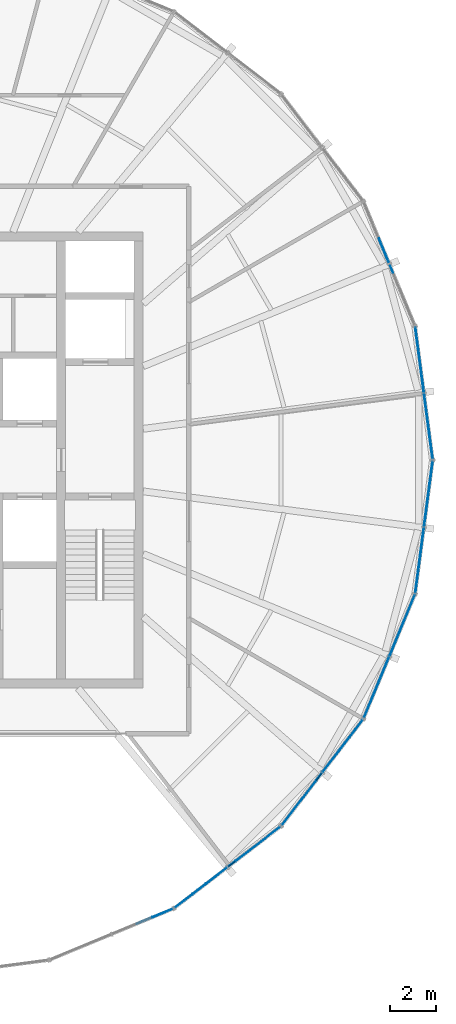
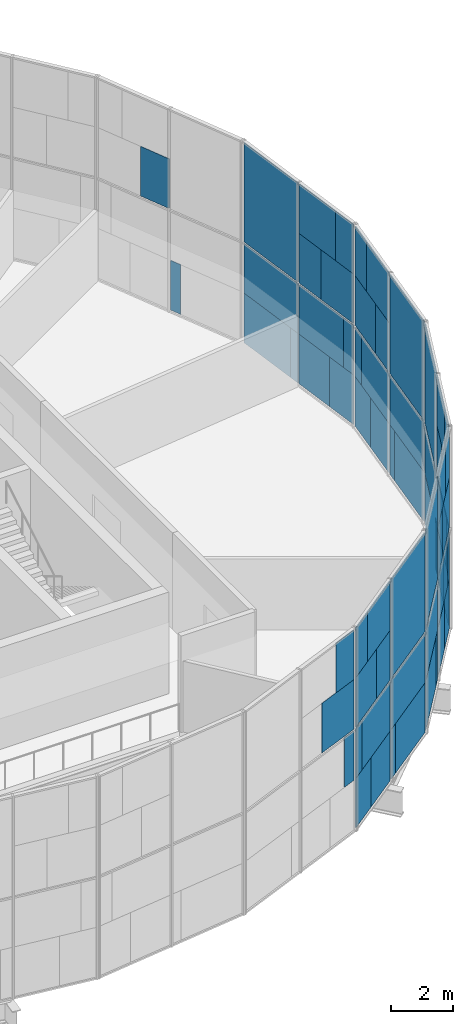
# One storey, part 12 of 19: 65 plates, 7 elements without a shape of their own.
"""IFC4 building model written with IfcOpenShell, lengths in metres."""

from ifc_helpers import new_model, si_unit, direction, frame, origin, origin_2d, place, context, subcontext, project, spatial, rectangle, extrude, material, layer, layer_set, type_object, element, aggregate, save


model = new_model("IFC4")

# Units and contexts
model_context = context("Model", 3, precision=1e-05, world=origin(), true_north=direction((0.0, 1.0)))
body_context = subcontext(model_context, "Body", "Model", "MODEL_VIEW")
ifc_project = project(units=[si_unit("LENGTHUNIT", "METRE"), si_unit("AREAUNIT", "SQUARE_METRE"), si_unit("VOLUMEUNIT", "CUBIC_METRE"), si_unit("PLANEANGLEUNIT", "RADIAN"), si_unit("MASSUNIT", "GRAM", prefix="KILO")], contexts=[model_context])

# Site, building, storey
site_placement = place(None, origin())
site = spatial("IfcSite", under=ifc_project, at=site_placement, CompositionType="ELEMENT")
building_placement = place(site_placement, origin())
building = spatial("IfcBuilding", under=site, at=building_placement, Name="Golbaran Civic Tower", CompositionType="ELEMENT")
storey_placement = place(building_placement, frame((0.0, 0.0, 240.0)))
storey = spatial("IfcBuildingStorey", under=building, at=storey_placement, Name="L58", CompositionType="ELEMENT", Elevation=240.0)

# Curtain wall, plates
ifc_material_1 = material(Name="Aluminium and glass", Category="aluminium")
curtain_wall_type = type_object("IfcCurtainWallType", Name="INNER SKIN CURTAIN WALL EXECUTIVE", PredefinedType="NOTDEFINED", material=ifc_material_1)
curtain_wall_1_placement = place(storey_placement, origin())
curtain_wall_1 = element("IfcCurtainWall", 1, at=curtain_wall_1_placement, inside=storey, type_object=curtain_wall_type, Name="Inner skin L58 facet 1 CW2", ObjectType="INNER SKIN", PredefinedType="USERDEFINED")
ifc_material_2 = material(Name="Clear insulating glass", Category="glass")
ifc_layer_1 = layer(ifc_material_2, 0.031982421875, Name="Clear insulating glass")
ifc_layer_set_1 = layer_set([ifc_layer_1], Name="Clear insulating glass")
plate_type_1 = type_object("IfcPlateType", Name="INNER SKIN CURTAIN WALL EXECUTIVE GLAZED PANEL", PredefinedType="CURTAIN_PANEL", material=ifc_layer_set_1)
plate_1_placement = place(storey_placement, frame((22.609375, 0.68896484375, 0.06005859375), z_axis=(0.0, 0.0, 1.0), x_axis=(-0.130526192168, 0.991444861381, 0.0)))
plate_1 = element("IfcPlate", 2, at=plate_1_placement, type_object=plate_type_1, Name="CW2 panel 1.1 part 1", PredefinedType="CURTAIN_PANEL", context=body_context, shape_type="SweptSolid", body=[
    extrude(rectangle(XDim=1.27001953125, YDim=0.031982421875, at=origin_2d()), origin(), (0.0, 0.0, 1.0), 1.955078125),
])
plate_2_placement = place(storey_placement, frame((22.658447265625, 0.315185546875, 2.014892578125), z_axis=(0.0, 0.0, 1.0), x_axis=(-0.130526192168, 0.991444861381, 0.0)))
plate_2 = element("IfcPlate", 3, at=plate_2_placement, type_object=plate_type_1, Name="CW2 panel 1.1 part 3", PredefinedType="CURTAIN_PANEL", context=body_context, shape_type="SweptSolid", body=[
    extrude(rectangle(XDim=0.51611328125, YDim=0.031982421875, at=origin_2d()), origin(), (0.0, 0.0, 1.0), 1.955078125),
])
plate_3_placement = place(storey_placement, frame((22.392822265625, 2.332763671875, 4.030029296875), z_axis=(0.0, 0.0, 1.0), x_axis=(-0.130526192168, 0.991444861381, 0.0)))
plate_3 = element("IfcPlate", 4, at=plate_3_placement, type_object=plate_type_1, Name="CW2 panel 1.2 part 2", PredefinedType="CURTAIN_PANEL", context=body_context, shape_type="SweptSolid", body=[
    extrude(rectangle(XDim=1.159912109375, YDim=0.031982421875, at=origin_2d()), origin(), (0.0, 0.0, 1.0), 1.955078125),
])
plate_4_placement = place(storey_placement, frame((22.442138671875, 1.958984375, 5.98486328125), z_axis=(0.0, 0.0, 1.0), x_axis=(-0.130526192168, 0.991444861381, 0.0)))
plate_4 = element("IfcPlate", 5, at=plate_4_placement, type_object=plate_type_1, Name="CW2 panel 1.2 part 4", PredefinedType="CURTAIN_PANEL", context=body_context, shape_type="SweptSolid", body=[
    extrude(rectangle(XDim=1.9140625, YDim=0.031982421875, at=origin_2d()), origin(), (0.0, 0.0, 1.0), 1.955078125),
])
plate_5_placement = place(storey_placement, frame((22.095703125, 4.59033203125, 0.06005859375), z_axis=(0.0, 0.0, 1.0), x_axis=(-0.130526192168, 0.991444861381, 0.0)))
plate_5 = element("IfcPlate", 6, at=plate_5_placement, type_object=plate_type_1, Name="CW2 panel 2.1 part 2", PredefinedType="CURTAIN_PANEL", context=body_context, shape_type="SweptSolid", body=[
    extrude(rectangle(XDim=2.471923828125, YDim=0.031982421875, at=origin_2d()), origin(), (0.0, 0.0, 1.0), 1.955078125),
])
plate_6_placement = place(storey_placement, frame((22.121826171875, 4.3916015625, 2.014892578125), z_axis=(0.0, 0.0, 1.0), x_axis=(-0.130526192168, 0.991444861381, 0.0)))
plate_6 = element("IfcPlate", 7, at=plate_6_placement, type_object=plate_type_1, Name="CW2 panel 2.1 part 3", PredefinedType="CURTAIN_PANEL", context=body_context, shape_type="SweptSolid", body=[
    extrude(rectangle(XDim=2.873046875, YDim=0.031982421875, at=origin_2d()), origin(), (0.0, 0.0, 1.0), 1.955078125),
])
plate_7_placement = place(storey_placement, frame((22.121826171875, 4.3916015625, 4.0302734375), z_axis=(0.0, 0.0, 1.0), x_axis=(-0.130526192168, 0.991444861381, 0.0)))
plate_7 = element("IfcPlate", 8, at=plate_7_placement, type_object=plate_type_1, Name="CW2 panel 2.2", PredefinedType="CURTAIN_PANEL", context=body_context, shape_type="SweptSolid", body=[
    extrude(rectangle(XDim=2.873046875, YDim=0.031982421875, at=origin_2d()), origin(), (0.0, 0.0, 1.0), 3.909912109375),
])

# Curtain wall, plate
curtain_wall_2_placement = place(storey_placement, origin())
curtain_wall_2 = element("IfcCurtainWall", 9, at=curtain_wall_2_placement, inside=storey, type_object=curtain_wall_type, Name="Inner skin L58 facet 2 CW2", ObjectType="INNER SKIN", PredefinedType="USERDEFINED")
plate_8_placement = place(storey_placement, frame((20.559326171875, 9.17626953125, 4.030029296875), z_axis=(0.0, 0.0, 1.0), x_axis=(-0.382683432397, 0.923879532498, 0.0)))
plate_8 = element("IfcPlate", 10, at=plate_8_placement, type_object=plate_type_1, Name="CW2 panel 2.2 part 1", PredefinedType="CURTAIN_PANEL", context=body_context, shape_type="SweptSolid", body=[
    extrude(rectangle(XDim=1.159912109375, YDim=0.031982421875, at=origin_2d()), origin(), (0.0, 0.0, 1.0), 1.955078125),
])

curtain_wall_3_placement = place(storey_placement, origin())
curtain_wall_3 = element("IfcCurtainWall", 11, at=curtain_wall_3_placement, inside=storey, type_object=curtain_wall_type, Name="Inner skin L58 facet 20 CW2", ObjectType="INNER SKIN", PredefinedType="USERDEFINED")
plate_9_placement = place(storey_placement, frame((11.05615234375, -19.780517578125, 2.014892578125), z_axis=(0.0, 0.0, 1.0), x_axis=(0.923879532498, 0.382683432397, 0.0)))
plate_9 = element("IfcPlate", 12, at=plate_9_placement, type_object=plate_type_1, Name="CW2 panel 2.1 part 4", PredefinedType="CURTAIN_PANEL", context=body_context, shape_type="SweptSolid", body=[
    extrude(rectangle(XDim=0.515869140625, YDim=0.031982421875, at=origin_2d()), origin(), (0.0, 0.0, 1.0), 1.955078125),
])

# Curtain wall, plates
curtain_wall_4_placement = place(storey_placement, origin())
curtain_wall_4 = element("IfcCurtainWall", 13, at=curtain_wall_4_placement, inside=storey, type_object=curtain_wall_type, Name="Inner skin L58 facet 21 CW2", ObjectType="INNER SKIN", PredefinedType="USERDEFINED")
plate_10_placement = place(storey_placement, frame((11.9013671875, -19.235595703125, 0.06005859375), z_axis=(0.0, 0.0, 1.0), x_axis=(0.793353340291, 0.608761429009, 0.0)))
plate_10 = element("IfcPlate", 14, at=plate_10_placement, type_object=plate_type_1, Name="CW2 panel 1.1 part 1", PredefinedType="CURTAIN_PANEL", context=body_context, shape_type="SweptSolid", body=[
    extrude(rectangle(XDim=1.27001953125, YDim=0.031982421875, at=origin_2d()), origin(), (0.0, 0.0, 1.0), 1.955078125),
])
plate_11_placement = place(storey_placement, frame((11.602294921875, -19.465087890625, 2.014892578125), z_axis=(0.0, 0.0, 1.0), x_axis=(0.793353340291, 0.608761429009, 0.0)))
plate_11 = element("IfcPlate", 15, at=plate_11_placement, type_object=plate_type_1, Name="CW2 panel 1.1 part 3", PredefinedType="CURTAIN_PANEL", context=body_context, shape_type="SweptSolid", body=[
    extrude(rectangle(XDim=0.51611328125, YDim=0.031982421875, at=origin_2d()), origin(), (0.0, 0.0, 1.0), 1.955078125),
])
plate_12_placement = place(storey_placement, frame((13.216796875, -18.226318359375, 4.030029296875), z_axis=(0.0, 0.0, 1.0), x_axis=(0.793353340291, 0.608761429009, 0.0)))
plate_12 = element("IfcPlate", 16, at=plate_12_placement, type_object=plate_type_1, Name="CW2 panel 1.2 part 2", PredefinedType="CURTAIN_PANEL", context=body_context, shape_type="SweptSolid", body=[
    extrude(rectangle(XDim=1.159912109375, YDim=0.031982421875, at=origin_2d()), origin(), (0.0, 0.0, 1.0), 1.955078125),
])
plate_13_placement = place(storey_placement, frame((12.917724609375, -18.455810546875, 5.98486328125), z_axis=(0.0, 0.0, 1.0), x_axis=(0.793353340291, 0.608761429009, 0.0)))
plate_13 = element("IfcPlate", 17, at=plate_13_placement, type_object=plate_type_1, Name="CW2 panel 1.2 part 4", PredefinedType="CURTAIN_PANEL", context=body_context, shape_type="SweptSolid", body=[
    extrude(rectangle(XDim=1.9140625, YDim=0.031982421875, at=origin_2d()), origin(), (0.0, 0.0, 1.0), 1.955078125),
])
plate_14_placement = place(storey_placement, frame((15.023193359375, -16.84033203125, 0.06005859375), z_axis=(0.0, 0.0, 1.0), x_axis=(0.793353340291, 0.608761429009, 0.0)))
plate_14 = element("IfcPlate", 18, at=plate_14_placement, type_object=plate_type_1, Name="CW2 panel 2.1 part 2", PredefinedType="CURTAIN_PANEL", context=body_context, shape_type="SweptSolid", body=[
    extrude(rectangle(XDim=2.471923828125, YDim=0.031982421875, at=origin_2d()), origin(), (0.0, 0.0, 1.0), 1.955078125),
])
plate_15_placement = place(storey_placement, frame((14.864013671875, -16.96240234375, 2.014892578125), z_axis=(0.0, 0.0, 1.0), x_axis=(0.793353340291, 0.608761429009, 0.0)))
plate_15 = element("IfcPlate", 19, at=plate_15_placement, type_object=plate_type_1, Name="CW2 panel 2.1 part 3", PredefinedType="CURTAIN_PANEL", context=body_context, shape_type="SweptSolid", body=[
    extrude(rectangle(XDim=2.873046875, YDim=0.031982421875, at=origin_2d()), origin(), (0.0, 0.0, 1.0), 1.955078125),
])
plate_16_placement = place(storey_placement, frame((14.864013671875, -16.96240234375, 4.0302734375), z_axis=(0.0, 0.0, 1.0), x_axis=(0.793353340291, 0.608761429009, 0.0)))
plate_16 = element("IfcPlate", 20, at=plate_16_placement, type_object=plate_type_1, Name="CW2 panel 2.2", PredefinedType="CURTAIN_PANEL", context=body_context, shape_type="SweptSolid", body=[
    extrude(rectangle(XDim=2.873046875, YDim=0.031982421875, at=origin_2d()), origin(), (0.0, 0.0, 1.0), 3.909912109375),
])

curtain_wall_5_placement = place(storey_placement, origin())
curtain_wall_5 = element("IfcCurtainWall", 21, at=curtain_wall_5_placement, inside=storey, type_object=curtain_wall_type, Name="Inner skin L58 facet 22 CW2", ObjectType="INNER SKIN", PredefinedType="USERDEFINED")
plate_17_placement = place(storey_placement, frame((16.840087890625, -15.0234375, 0.06005859375), z_axis=(0.0, 0.0, 1.0), x_axis=(0.608761429009, 0.793353340291, 0.0)))
plate_17 = element("IfcPlate", 22, at=plate_17_placement, type_object=plate_type_1, Name="CW2 panel 1.1 part 1", PredefinedType="CURTAIN_PANEL", context=body_context, shape_type="SweptSolid", body=[
    extrude(rectangle(XDim=2.470947265625, YDim=0.031982421875, at=origin_2d()), origin(), (0.0, 0.0, 1.0), 1.955078125),
])
plate_18_placement = place(storey_placement, frame((16.96240234375, -14.864013671875, 2.014892578125), z_axis=(0.0, 0.0, 1.0), x_axis=(0.608761429009, 0.793353340291, 0.0)))
plate_18 = element("IfcPlate", 23, at=plate_18_placement, type_object=plate_type_1, Name="CW2 panel 1.1 part 3", PredefinedType="CURTAIN_PANEL", context=body_context, shape_type="SweptSolid", body=[
    extrude(rectangle(XDim=2.873046875, YDim=0.031982421875, at=origin_2d()), origin(), (0.0, 0.0, 1.0), 1.955078125),
])
plate_19_placement = place(storey_placement, frame((16.96240234375, -14.864013671875, 4.0302734375), z_axis=(0.0, 0.0, 1.0), x_axis=(0.608761429009, 0.793353340291, 0.0)))
plate_19 = element("IfcPlate", 24, at=plate_19_placement, type_object=plate_type_1, Name="CW2 panel 1.2", PredefinedType="CURTAIN_PANEL", context=body_context, shape_type="SweptSolid", body=[
    extrude(rectangle(XDim=2.873046875, YDim=0.031982421875, at=origin_2d()), origin(), (0.0, 0.0, 1.0), 3.909912109375),
])
plate_20_placement = place(storey_placement, frame((19.235595703125, -11.9013671875, 0.06005859375), z_axis=(0.0, 0.0, 1.0), x_axis=(0.608761429009, 0.793353340291, 0.0)))
plate_20 = element("IfcPlate", 25, at=plate_20_placement, type_object=plate_type_1, Name="CW2 panel 2.1 part 2", PredefinedType="CURTAIN_PANEL", context=body_context, shape_type="SweptSolid", body=[
    extrude(rectangle(XDim=1.27001953125, YDim=0.031982421875, at=origin_2d()), origin(), (0.0, 0.0, 1.0), 1.955078125),
])
plate_21_placement = place(storey_placement, frame((19.465087890625, -11.602294921875, 2.014892578125), z_axis=(0.0, 0.0, 1.0), x_axis=(0.608761429009, 0.793353340291, 0.0)))
plate_21 = element("IfcPlate", 26, at=plate_21_placement, type_object=plate_type_1, Name="CW2 panel 2.1 part 4", PredefinedType="CURTAIN_PANEL", context=body_context, shape_type="SweptSolid", body=[
    extrude(rectangle(XDim=0.515869140625, YDim=0.031982421875, at=origin_2d()), origin(), (0.0, 0.0, 1.0), 1.955078125),
])
plate_22_placement = place(storey_placement, frame((18.226318359375, -13.216796875, 4.030029296875), z_axis=(0.0, 0.0, 1.0), x_axis=(0.608761429009, 0.793353340291, 0.0)))
plate_22 = element("IfcPlate", 27, at=plate_22_placement, type_object=plate_type_1, Name="CW2 panel 2.2 part 1", PredefinedType="CURTAIN_PANEL", context=body_context, shape_type="SweptSolid", body=[
    extrude(rectangle(XDim=1.159912109375, YDim=0.031982421875, at=origin_2d()), origin(), (0.0, 0.0, 1.0), 1.955078125),
])
plate_23_placement = place(storey_placement, frame((18.455810546875, -12.917724609375, 5.98486328125), z_axis=(0.0, 0.0, 1.0), x_axis=(0.608761429009, 0.793353340291, 0.0)))
plate_23 = element("IfcPlate", 28, at=plate_23_placement, type_object=plate_type_1, Name="CW2 panel 2.2 part 3", PredefinedType="CURTAIN_PANEL", context=body_context, shape_type="SweptSolid", body=[
    extrude(rectangle(XDim=1.9140625, YDim=0.031982421875, at=origin_2d()), origin(), (0.0, 0.0, 1.0), 1.955078125),
])

curtain_wall_6_placement = place(storey_placement, origin())
curtain_wall_6 = element("IfcCurtainWall", 29, at=curtain_wall_6_placement, inside=storey, type_object=curtain_wall_type, Name="Inner skin L58 facet 23 CW2", ObjectType="INNER SKIN", PredefinedType="USERDEFINED")
plate_24_placement = place(storey_placement, frame((19.9248046875, -10.7080078125, 0.06005859375), z_axis=(0.0, 0.0, 1.0), x_axis=(0.382683432397, 0.923879532498, 0.0)))
plate_24 = element("IfcPlate", 30, at=plate_24_placement, type_object=plate_type_1, Name="CW2 panel 1.1 part 1", PredefinedType="CURTAIN_PANEL", context=body_context, shape_type="SweptSolid", body=[
    extrude(rectangle(XDim=1.27001953125, YDim=0.031982421875, at=origin_2d()), origin(), (0.0, 0.0, 1.0), 1.955078125),
])
plate_25_placement = place(storey_placement, frame((19.780517578125, -11.05615234375, 2.014892578125), z_axis=(0.0, 0.0, 1.0), x_axis=(0.382683432397, 0.923879532498, 0.0)))
plate_25 = element("IfcPlate", 31, at=plate_25_placement, type_object=plate_type_1, Name="CW2 panel 1.1 part 3", PredefinedType="CURTAIN_PANEL", context=body_context, shape_type="SweptSolid", body=[
    extrude(rectangle(XDim=0.51611328125, YDim=0.031982421875, at=origin_2d()), origin(), (0.0, 0.0, 1.0), 1.955078125),
])
plate_26_placement = place(storey_placement, frame((20.559326171875, -9.176025390625, 4.030029296875), z_axis=(0.0, 0.0, 1.0), x_axis=(0.382683432397, 0.923879532498, 0.0)))
plate_26 = element("IfcPlate", 32, at=plate_26_placement, type_object=plate_type_1, Name="CW2 panel 1.2 part 2", PredefinedType="CURTAIN_PANEL", context=body_context, shape_type="SweptSolid", body=[
    extrude(rectangle(XDim=1.159912109375, YDim=0.031982421875, at=origin_2d()), origin(), (0.0, 0.0, 1.0), 1.955078125),
])
plate_27_placement = place(storey_placement, frame((20.4150390625, -9.5244140625, 5.98486328125), z_axis=(0.0, 0.0, 1.0), x_axis=(0.382683432397, 0.923879532498, 0.0)))
plate_27 = element("IfcPlate", 33, at=plate_27_placement, type_object=plate_type_1, Name="CW2 panel 1.2 part 4", PredefinedType="CURTAIN_PANEL", context=body_context, shape_type="SweptSolid", body=[
    extrude(rectangle(XDim=1.9140625, YDim=0.031982421875, at=origin_2d()), origin(), (0.0, 0.0, 1.0), 1.955078125),
])
plate_28_placement = place(storey_placement, frame((21.4306640625, -7.072509765625, 0.06005859375), z_axis=(0.0, 0.0, 1.0), x_axis=(0.382683432397, 0.923879532498, 0.0)))
plate_28 = element("IfcPlate", 34, at=plate_28_placement, type_object=plate_type_1, Name="CW2 panel 2.1 part 2", PredefinedType="CURTAIN_PANEL", context=body_context, shape_type="SweptSolid", body=[
    extrude(rectangle(XDim=2.471923828125, YDim=0.031982421875, at=origin_2d()), origin(), (0.0, 0.0, 1.0), 1.955078125),
])
plate_29_placement = place(storey_placement, frame((21.353759765625, -7.2578125, 2.014892578125), z_axis=(0.0, 0.0, 1.0), x_axis=(0.382683432397, 0.923879532498, 0.0)))
plate_29 = element("IfcPlate", 35, at=plate_29_placement, type_object=plate_type_1, Name="CW2 panel 2.1 part 3", PredefinedType="CURTAIN_PANEL", context=body_context, shape_type="SweptSolid", body=[
    extrude(rectangle(XDim=2.873046875, YDim=0.031982421875, at=origin_2d()), origin(), (0.0, 0.0, 1.0), 1.955078125),
])
plate_30_placement = place(storey_placement, frame((21.353759765625, -7.2578125, 4.0302734375), z_axis=(0.0, 0.0, 1.0), x_axis=(0.382683432397, 0.923879532498, 0.0)))
plate_30 = element("IfcPlate", 36, at=plate_30_placement, type_object=plate_type_1, Name="CW2 panel 2.2", PredefinedType="CURTAIN_PANEL", context=body_context, shape_type="SweptSolid", body=[
    extrude(rectangle(XDim=2.873046875, YDim=0.031982421875, at=origin_2d()), origin(), (0.0, 0.0, 1.0), 3.909912109375),
])

curtain_wall_7_placement = place(storey_placement, origin())
curtain_wall_7 = element("IfcCurtainWall", 37, at=curtain_wall_7_placement, inside=storey, type_object=curtain_wall_type, Name="Inner skin L58 facet 24 CW2", ObjectType="INNER SKIN", PredefinedType="USERDEFINED")
plate_31_placement = place(storey_placement, frame((22.095703125, -4.5908203125, 0.06005859375), z_axis=(0.0, 0.0, 1.0), x_axis=(0.130526192168, 0.991444861381, 0.0)))
plate_31 = element("IfcPlate", 38, at=plate_31_placement, type_object=plate_type_1, Name="CW2 panel 1.1 part 1", PredefinedType="CURTAIN_PANEL", context=body_context, shape_type="SweptSolid", body=[
    extrude(rectangle(XDim=2.470947265625, YDim=0.031982421875, at=origin_2d()), origin(), (0.0, 0.0, 1.0), 1.955078125),
])
plate_32_placement = place(storey_placement, frame((22.121826171875, -4.3916015625, 2.014892578125), z_axis=(0.0, 0.0, 1.0), x_axis=(0.130526192168, 0.991444861381, 0.0)))
plate_32 = element("IfcPlate", 39, at=plate_32_placement, type_object=plate_type_1, Name="CW2 panel 1.1 part 3", PredefinedType="CURTAIN_PANEL", context=body_context, shape_type="SweptSolid", body=[
    extrude(rectangle(XDim=2.873046875, YDim=0.031982421875, at=origin_2d()), origin(), (0.0, 0.0, 1.0), 1.955078125),
])
plate_33_placement = place(storey_placement, frame((22.121826171875, -4.3916015625, 4.0302734375), z_axis=(0.0, 0.0, 1.0), x_axis=(0.130526192168, 0.991444861381, 0.0)))
plate_33 = element("IfcPlate", 40, at=plate_33_placement, type_object=plate_type_1, Name="CW2 panel 1.2", PredefinedType="CURTAIN_PANEL", context=body_context, shape_type="SweptSolid", body=[
    extrude(rectangle(XDim=2.873046875, YDim=0.031982421875, at=origin_2d()), origin(), (0.0, 0.0, 1.0), 3.909912109375),
])
plate_34_placement = place(storey_placement, frame((22.609375, -0.68896484375, 0.06005859375), z_axis=(0.0, 0.0, 1.0), x_axis=(0.130526192168, 0.991444861381, 0.0)))
plate_34 = element("IfcPlate", 41, at=plate_34_placement, type_object=plate_type_1, Name="CW2 panel 2.1 part 2", PredefinedType="CURTAIN_PANEL", context=body_context, shape_type="SweptSolid", body=[
    extrude(rectangle(XDim=1.27001953125, YDim=0.031982421875, at=origin_2d()), origin(), (0.0, 0.0, 1.0), 1.955078125),
])
plate_35_placement = place(storey_placement, frame((22.658447265625, -0.315185546875, 2.014892578125), z_axis=(0.0, 0.0, 1.0), x_axis=(0.130526192168, 0.991444861381, 0.0)))
plate_35 = element("IfcPlate", 42, at=plate_35_placement, type_object=plate_type_1, Name="CW2 panel 2.1 part 4", PredefinedType="CURTAIN_PANEL", context=body_context, shape_type="SweptSolid", body=[
    extrude(rectangle(XDim=0.515869140625, YDim=0.031982421875, at=origin_2d()), origin(), (0.0, 0.0, 1.0), 1.955078125),
])
plate_36_placement = place(storey_placement, frame((22.392822265625, -2.332763671875, 4.030029296875), z_axis=(0.0, 0.0, 1.0), x_axis=(0.130526192168, 0.991444861381, 0.0)))
plate_36 = element("IfcPlate", 43, at=plate_36_placement, type_object=plate_type_1, Name="CW2 panel 2.2 part 1", PredefinedType="CURTAIN_PANEL", context=body_context, shape_type="SweptSolid", body=[
    extrude(rectangle(XDim=1.159912109375, YDim=0.031982421875, at=origin_2d()), origin(), (0.0, 0.0, 1.0), 1.955078125),
])
plate_37_placement = place(storey_placement, frame((22.442138671875, -1.958984375, 5.98486328125), z_axis=(0.0, 0.0, 1.0), x_axis=(0.130526192168, 0.991444861381, 0.0)))
plate_37 = element("IfcPlate", 44, at=plate_37_placement, type_object=plate_type_1, Name="CW2 panel 2.2 part 3", PredefinedType="CURTAIN_PANEL", context=body_context, shape_type="SweptSolid", body=[
    extrude(rectangle(XDim=1.9140625, YDim=0.031982421875, at=origin_2d()), origin(), (0.0, 0.0, 1.0), 1.955078125),
])

# Plate
ifc_material_3 = material(Name="Aluminium faced opaque infill panel", Category="aluminium")
ifc_layer_2 = layer(ifc_material_3, 0.031982421875, Name="Aluminium faced opaque infill panel")
ifc_layer_set_2 = layer_set([ifc_layer_2], Name="Aluminium faced opaque infill panel")
plate_type_2 = type_object("IfcPlateType", Name="INNER SKIN CURTAIN WALL EXECUTIVE OPAQUE INFILL PANEL", PredefinedType="CURTAIN_PANEL", material=ifc_layer_set_2)
plate_38_placement = place(storey_placement, frame((22.421875, 2.11328125, 0.06005859375), z_axis=(0.0, 0.0, 1.0), x_axis=(-0.130526192168, 0.991444861381, 0.0)))
plate_38 = element("IfcPlate", 45, at=plate_38_placement, type_object=plate_type_2, Name="CW2 infill panel 1.1 part 2", PredefinedType="CURTAIN_PANEL", context=body_context, shape_type="SweptSolid", body=[
    extrude(rectangle(XDim=1.60302734375, YDim=0.031982421875, at=origin_2d()), origin(), (0.0, 0.0, 1.0), 1.955078125),
])

plate_39_placement = place(storey_placement, frame((22.470947265625, 1.739501953125, 2.014892578125), z_axis=(0.0, 0.0, 1.0), x_axis=(-0.130526192168, 0.991444861381, 0.0)))
plate_39 = element("IfcPlate", 46, at=plate_39_placement, type_object=plate_type_2, Name="CW2 infill panel 1.1 part 4", PredefinedType="CURTAIN_PANEL", context=body_context, shape_type="SweptSolid", body=[
    extrude(rectangle(XDim=2.35693359375, YDim=0.031982421875, at=origin_2d()), origin(), (0.0, 0.0, 1.0), 1.955078125),
])

plate_40_placement = place(storey_placement, frame((22.580322265625, 0.90869140625, 4.030029296875), z_axis=(0.0, 0.0, 1.0), x_axis=(-0.130526192168, 0.991444861381, 0.0)))
plate_40 = element("IfcPlate", 47, at=plate_40_placement, type_object=plate_type_2, Name="CW2 infill panel 1.2 part 1", PredefinedType="CURTAIN_PANEL", context=body_context, shape_type="SweptSolid", body=[
    extrude(rectangle(XDim=1.712890625, YDim=0.031982421875, at=origin_2d()), origin(), (0.0, 0.0, 1.0), 1.955078125),
])

plate_41_placement = place(storey_placement, frame((22.629638671875, 0.534912109375, 5.98486328125), z_axis=(0.0, 0.0, 1.0), x_axis=(-0.130526192168, 0.991444861381, 0.0)))
plate_41 = element("IfcPlate", 48, at=plate_41_placement, type_object=plate_type_2, Name="CW2 infill panel 1.2 part 3", PredefinedType="CURTAIN_PANEL", context=body_context, shape_type="SweptSolid", body=[
    extrude(rectangle(XDim=0.958984375, YDim=0.031982421875, at=origin_2d()), origin(), (0.0, 0.0, 1.0), 1.955078125),
])

plate_42_placement = place(storey_placement, frame((22.283203125, 3.166015625, 0.06005859375), z_axis=(0.0, 0.0, 1.0), x_axis=(-0.130526192168, 0.991444861381, 0.0)))
plate_42 = element("IfcPlate", 49, at=plate_42_placement, type_object=plate_type_2, Name="CW2 infill panel 2.1 part 1", PredefinedType="CURTAIN_PANEL", context=body_context, shape_type="SweptSolid", body=[
    extrude(rectangle(XDim=0.40087890625, YDim=0.031982421875, at=origin_2d()), origin(), (0.0, 0.0, 1.0), 1.955078125),
])

aggregate(curtain_wall_1, [plate_1, plate_38, plate_2, plate_39, plate_40, plate_3, plate_41, plate_4, plate_42, plate_5, plate_6, plate_7])

plate_43_placement = place(storey_placement, frame((20.881103515625, 8.399169921875, 0.06005859375), z_axis=(0.0, 0.0, 1.0), x_axis=(-0.382683432397, 0.923879532498, 0.0)))
plate_43 = element("IfcPlate", 50, at=plate_43_placement, type_object=plate_type_2, Name="CW2 infill panel 1.1 part 2", PredefinedType="CURTAIN_PANEL", context=body_context, shape_type="SweptSolid", body=[
    extrude(rectangle(XDim=0.40185546875, YDim=0.031982421875, at=origin_2d()), origin(), (0.0, 0.0, 1.0), 1.955078125),
])

aggregate(curtain_wall_2, [plate_43, plate_8])

plate_44_placement = place(storey_placement, frame((10.503173828125, -20.009521484375, 4.030029296875), z_axis=(0.0, 0.0, 1.0), x_axis=(0.923879532498, 0.382683432397, 0.0)))
plate_44 = element("IfcPlate", 51, at=plate_44_placement, type_object=plate_type_2, Name="CW2 infill panel 2.2 part 2", PredefinedType="CURTAIN_PANEL", context=body_context, shape_type="SweptSolid", body=[
    extrude(rectangle(XDim=1.712890625, YDim=0.031982421875, at=origin_2d()), origin(), (0.0, 0.0, 1.0), 1.955078125),
])

plate_45_placement = place(storey_placement, frame((10.8515625, -19.865234375, 5.98486328125), z_axis=(0.0, 0.0, 1.0), x_axis=(0.923879532498, 0.382683432397, 0.0)))
plate_45 = element("IfcPlate", 52, at=plate_45_placement, type_object=plate_type_2, Name="CW2 infill panel 2.2 part 4", PredefinedType="CURTAIN_PANEL", context=body_context, shape_type="SweptSolid", body=[
    extrude(rectangle(XDim=0.958984375, YDim=0.031982421875, at=origin_2d()), origin(), (0.0, 0.0, 1.0), 1.955078125),
])

aggregate(curtain_wall_3, [plate_9, plate_44, plate_45])

plate_46_placement = place(storey_placement, frame((13.041015625, -18.361328125, 0.06005859375), z_axis=(0.0, 0.0, 1.0), x_axis=(0.793353340291, 0.608761429009, 0.0)))
plate_46 = element("IfcPlate", 53, at=plate_46_placement, type_object=plate_type_2, Name="CW2 infill panel 1.1 part 2", PredefinedType="CURTAIN_PANEL", context=body_context, shape_type="SweptSolid", body=[
    extrude(rectangle(XDim=1.60302734375, YDim=0.031982421875, at=origin_2d()), origin(), (0.0, 0.0, 1.0), 1.955078125),
])

plate_47_placement = place(storey_placement, frame((12.741943359375, -18.5908203125, 2.014892578125), z_axis=(0.0, 0.0, 1.0), x_axis=(0.793353340291, 0.608761429009, 0.0)))
plate_47 = element("IfcPlate", 54, at=plate_47_placement, type_object=plate_type_2, Name="CW2 infill panel 1.1 part 4", PredefinedType="CURTAIN_PANEL", context=body_context, shape_type="SweptSolid", body=[
    extrude(rectangle(XDim=2.35693359375, YDim=0.031982421875, at=origin_2d()), origin(), (0.0, 0.0, 1.0), 1.955078125),
])

plate_48_placement = place(storey_placement, frame((12.0771484375, -19.100830078125, 4.030029296875), z_axis=(0.0, 0.0, 1.0), x_axis=(0.793353340291, 0.608761429009, 0.0)))
plate_48 = element("IfcPlate", 55, at=plate_48_placement, type_object=plate_type_2, Name="CW2 infill panel 1.2 part 1", PredefinedType="CURTAIN_PANEL", context=body_context, shape_type="SweptSolid", body=[
    extrude(rectangle(XDim=1.712890625, YDim=0.031982421875, at=origin_2d()), origin(), (0.0, 0.0, 1.0), 1.955078125),
])

plate_49_placement = place(storey_placement, frame((11.778076171875, -19.330322265625, 5.98486328125), z_axis=(0.0, 0.0, 1.0), x_axis=(0.793353340291, 0.608761429009, 0.0)))
plate_49 = element("IfcPlate", 56, at=plate_49_placement, type_object=plate_type_2, Name="CW2 infill panel 1.2 part 3", PredefinedType="CURTAIN_PANEL", context=body_context, shape_type="SweptSolid", body=[
    extrude(rectangle(XDim=0.958984375, YDim=0.031982421875, at=origin_2d()), origin(), (0.0, 0.0, 1.0), 1.955078125),
])

plate_50_placement = place(storey_placement, frame((13.883544921875, -17.71484375, 0.06005859375), z_axis=(0.0, 0.0, 1.0), x_axis=(0.793353340291, 0.608761429009, 0.0)))
plate_50 = element("IfcPlate", 57, at=plate_50_placement, type_object=plate_type_2, Name="CW2 infill panel 2.1 part 1", PredefinedType="CURTAIN_PANEL", context=body_context, shape_type="SweptSolid", body=[
    extrude(rectangle(XDim=0.40087890625, YDim=0.031982421875, at=origin_2d()), origin(), (0.0, 0.0, 1.0), 1.955078125),
])

aggregate(curtain_wall_4, [plate_10, plate_46, plate_11, plate_47, plate_48, plate_12, plate_49, plate_13, plate_50, plate_14, plate_15, plate_16])

plate_51_placement = place(storey_placement, frame((17.71435546875, -13.8837890625, 0.06005859375), z_axis=(0.0, 0.0, 1.0), x_axis=(0.608761429009, 0.793353340291, 0.0)))
plate_51 = element("IfcPlate", 58, at=plate_51_placement, type_object=plate_type_2, Name="CW2 infill panel 1.1 part 2", PredefinedType="CURTAIN_PANEL", context=body_context, shape_type="SweptSolid", body=[
    extrude(rectangle(XDim=0.40185546875, YDim=0.031982421875, at=origin_2d()), origin(), (0.0, 0.0, 1.0), 1.955078125),
])

plate_52_placement = place(storey_placement, frame((18.361328125, -13.041015625, 0.06005859375), z_axis=(0.0, 0.0, 1.0), x_axis=(0.608761429009, 0.793353340291, 0.0)))
plate_52 = element("IfcPlate", 59, at=plate_52_placement, type_object=plate_type_2, Name="CW2 infill panel 2.1 part 1", PredefinedType="CURTAIN_PANEL", context=body_context, shape_type="SweptSolid", body=[
    extrude(rectangle(XDim=1.60302734375, YDim=0.031982421875, at=origin_2d()), origin(), (0.0, 0.0, 1.0), 1.955078125),
])

plate_53_placement = place(storey_placement, frame((18.5908203125, -12.741943359375, 2.014892578125), z_axis=(0.0, 0.0, 1.0), x_axis=(0.608761429009, 0.793353340291, 0.0)))
plate_53 = element("IfcPlate", 60, at=plate_53_placement, type_object=plate_type_2, Name="CW2 infill panel 2.1 part 3", PredefinedType="CURTAIN_PANEL", context=body_context, shape_type="SweptSolid", body=[
    extrude(rectangle(XDim=2.35693359375, YDim=0.031982421875, at=origin_2d()), origin(), (0.0, 0.0, 1.0), 1.955078125),
])

plate_54_placement = place(storey_placement, frame((19.100830078125, -12.0771484375, 4.030029296875), z_axis=(0.0, 0.0, 1.0), x_axis=(0.608761429009, 0.793353340291, 0.0)))
plate_54 = element("IfcPlate", 61, at=plate_54_placement, type_object=plate_type_2, Name="CW2 infill panel 2.2 part 2", PredefinedType="CURTAIN_PANEL", context=body_context, shape_type="SweptSolid", body=[
    extrude(rectangle(XDim=1.712890625, YDim=0.031982421875, at=origin_2d()), origin(), (0.0, 0.0, 1.0), 1.955078125),
])

plate_55_placement = place(storey_placement, frame((19.330322265625, -11.778076171875, 5.98486328125), z_axis=(0.0, 0.0, 1.0), x_axis=(0.608761429009, 0.793353340291, 0.0)))
plate_55 = element("IfcPlate", 62, at=plate_55_placement, type_object=plate_type_2, Name="CW2 infill panel 2.2 part 4", PredefinedType="CURTAIN_PANEL", context=body_context, shape_type="SweptSolid", body=[
    extrude(rectangle(XDim=0.958984375, YDim=0.031982421875, at=origin_2d()), origin(), (0.0, 0.0, 1.0), 1.955078125),
])

aggregate(curtain_wall_5, [plate_17, plate_51, plate_18, plate_19, plate_52, plate_20, plate_53, plate_21, plate_22, plate_54, plate_23, plate_55])

plate_56_placement = place(storey_placement, frame((20.474365234375, -9.380859375, 0.06005859375), z_axis=(0.0, 0.0, 1.0), x_axis=(0.382683432397, 0.923879532498, 0.0)))
plate_56 = element("IfcPlate", 63, at=plate_56_placement, type_object=plate_type_2, Name="CW2 infill panel 1.1 part 2", PredefinedType="CURTAIN_PANEL", context=body_context, shape_type="SweptSolid", body=[
    extrude(rectangle(XDim=1.60302734375, YDim=0.031982421875, at=origin_2d()), origin(), (0.0, 0.0, 1.0), 1.955078125),
])

plate_57_placement = place(storey_placement, frame((20.330078125, -9.72900390625, 2.014892578125), z_axis=(0.0, 0.0, 1.0), x_axis=(0.382683432397, 0.923879532498, 0.0)))
plate_57 = element("IfcPlate", 64, at=plate_57_placement, type_object=plate_type_2, Name="CW2 infill panel 1.1 part 4", PredefinedType="CURTAIN_PANEL", context=body_context, shape_type="SweptSolid", body=[
    extrude(rectangle(XDim=2.35693359375, YDim=0.031982421875, at=origin_2d()), origin(), (0.0, 0.0, 1.0), 1.955078125),
])

plate_58_placement = place(storey_placement, frame((20.009521484375, -10.503173828125, 4.030029296875), z_axis=(0.0, 0.0, 1.0), x_axis=(0.382683432397, 0.923879532498, 0.0)))
plate_58 = element("IfcPlate", 65, at=plate_58_placement, type_object=plate_type_2, Name="CW2 infill panel 1.2 part 1", PredefinedType="CURTAIN_PANEL", context=body_context, shape_type="SweptSolid", body=[
    extrude(rectangle(XDim=1.712890625, YDim=0.031982421875, at=origin_2d()), origin(), (0.0, 0.0, 1.0), 1.955078125),
])

plate_59_placement = place(storey_placement, frame((19.865234375, -10.8515625, 5.98486328125), z_axis=(0.0, 0.0, 1.0), x_axis=(0.382683432397, 0.923879532498, 0.0)))
plate_59 = element("IfcPlate", 66, at=plate_59_placement, type_object=plate_type_2, Name="CW2 infill panel 1.2 part 3", PredefinedType="CURTAIN_PANEL", context=body_context, shape_type="SweptSolid", body=[
    extrude(rectangle(XDim=0.958984375, YDim=0.031982421875, at=origin_2d()), origin(), (0.0, 0.0, 1.0), 1.955078125),
])

plate_60_placement = place(storey_placement, frame((20.880859375, -8.399658203125, 0.06005859375), z_axis=(0.0, 0.0, 1.0), x_axis=(0.382683432397, 0.923879532498, 0.0)))
plate_60 = element("IfcPlate", 67, at=plate_60_placement, type_object=plate_type_2, Name="CW2 infill panel 2.1 part 1", PredefinedType="CURTAIN_PANEL", context=body_context, shape_type="SweptSolid", body=[
    extrude(rectangle(XDim=0.40087890625, YDim=0.031982421875, at=origin_2d()), origin(), (0.0, 0.0, 1.0), 1.955078125),
])

aggregate(curtain_wall_6, [plate_24, plate_56, plate_25, plate_57, plate_58, plate_26, plate_59, plate_27, plate_60, plate_28, plate_29, plate_30])

plate_61_placement = place(storey_placement, frame((22.283203125, -3.16650390625, 0.06005859375), z_axis=(0.0, 0.0, 1.0), x_axis=(0.130526192168, 0.991444861381, 0.0)))
plate_61 = element("IfcPlate", 68, at=plate_61_placement, type_object=plate_type_2, Name="CW2 infill panel 1.1 part 2", PredefinedType="CURTAIN_PANEL", context=body_context, shape_type="SweptSolid", body=[
    extrude(rectangle(XDim=0.40185546875, YDim=0.031982421875, at=origin_2d()), origin(), (0.0, 0.0, 1.0), 1.955078125),
])

plate_62_placement = place(storey_placement, frame((22.421875, -2.11328125, 0.06005859375), z_axis=(0.0, 0.0, 1.0), x_axis=(0.130526192168, 0.991444861381, 0.0)))
plate_62 = element("IfcPlate", 69, at=plate_62_placement, type_object=plate_type_2, Name="CW2 infill panel 2.1 part 1", PredefinedType="CURTAIN_PANEL", context=body_context, shape_type="SweptSolid", body=[
    extrude(rectangle(XDim=1.60302734375, YDim=0.031982421875, at=origin_2d()), origin(), (0.0, 0.0, 1.0), 1.955078125),
])

plate_63_placement = place(storey_placement, frame((22.470947265625, -1.739501953125, 2.014892578125), z_axis=(0.0, 0.0, 1.0), x_axis=(0.130526192168, 0.991444861381, 0.0)))
plate_63 = element("IfcPlate", 70, at=plate_63_placement, type_object=plate_type_2, Name="CW2 infill panel 2.1 part 3", PredefinedType="CURTAIN_PANEL", context=body_context, shape_type="SweptSolid", body=[
    extrude(rectangle(XDim=2.35693359375, YDim=0.031982421875, at=origin_2d()), origin(), (0.0, 0.0, 1.0), 1.955078125),
])

plate_64_placement = place(storey_placement, frame((22.580322265625, -0.90869140625, 4.030029296875), z_axis=(0.0, 0.0, 1.0), x_axis=(0.130526192168, 0.991444861381, 0.0)))
plate_64 = element("IfcPlate", 71, at=plate_64_placement, type_object=plate_type_2, Name="CW2 infill panel 2.2 part 2", PredefinedType="CURTAIN_PANEL", context=body_context, shape_type="SweptSolid", body=[
    extrude(rectangle(XDim=1.712890625, YDim=0.031982421875, at=origin_2d()), origin(), (0.0, 0.0, 1.0), 1.955078125),
])

plate_65_placement = place(storey_placement, frame((22.629638671875, -0.534912109375, 5.98486328125), z_axis=(0.0, 0.0, 1.0), x_axis=(0.130526192168, 0.991444861381, 0.0)))
plate_65 = element("IfcPlate", 72, at=plate_65_placement, type_object=plate_type_2, Name="CW2 infill panel 2.2 part 4", PredefinedType="CURTAIN_PANEL", context=body_context, shape_type="SweptSolid", body=[
    extrude(rectangle(XDim=0.958984375, YDim=0.031982421875, at=origin_2d()), origin(), (0.0, 0.0, 1.0), 1.955078125),
])

aggregate(curtain_wall_7, [plate_31, plate_61, plate_32, plate_33, plate_62, plate_34, plate_63, plate_35, plate_36, plate_64, plate_37, plate_65])

save(model, "model.ifc")
